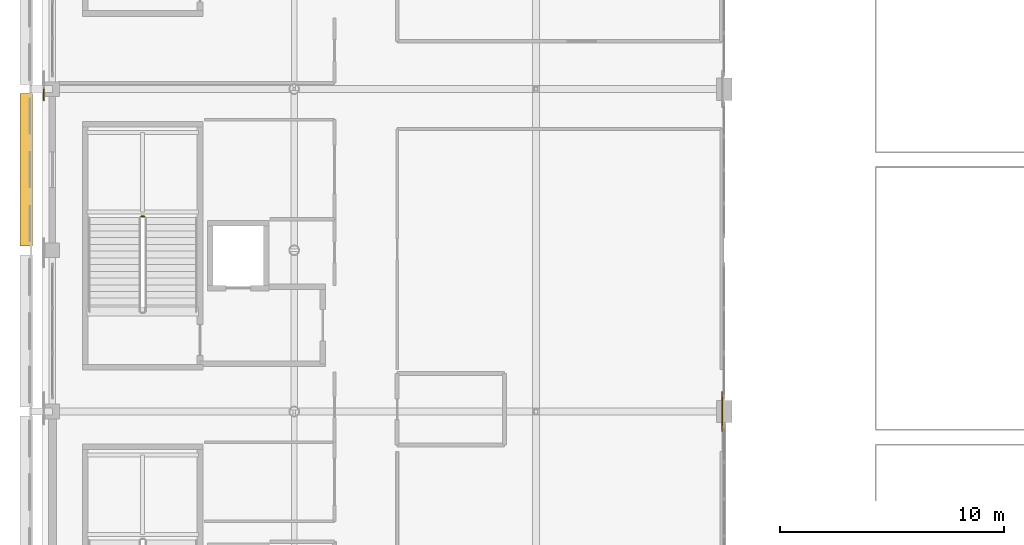
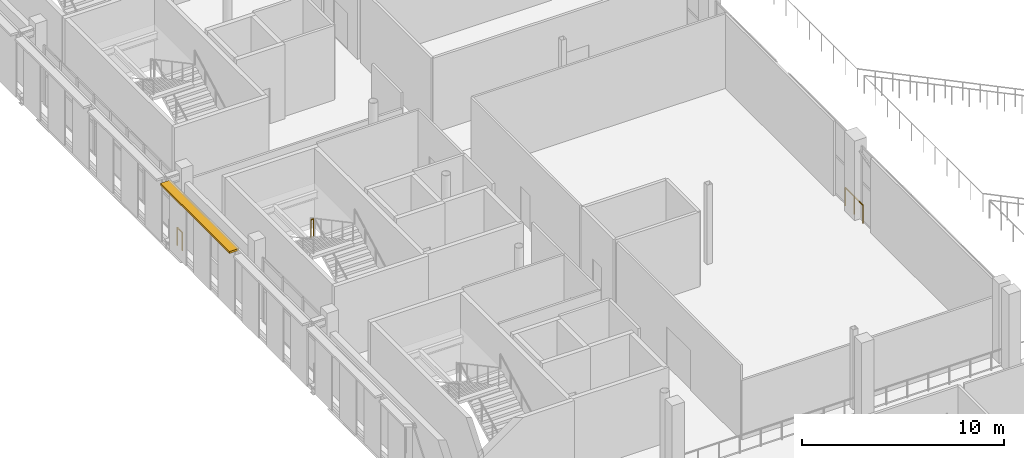
# One storey, part 81 of 104: 3 railings, 1 shading device.
"""IFC4 building model written with IfcOpenShell, lengths in metres."""

from ifc_helpers import new_model, si_unit, direction, frame, origin, origin_2d, place, context, subcontext, project, spatial, rectangle, circle, extrude, material, type_object, element, save


model = new_model("IFC4")

# Units and contexts
model_context = context("Model", 3, precision=1e-05, world=origin(), true_north=direction((0.0, 1.0)))
body_context = subcontext(model_context, "Body", "Model", "MODEL_VIEW")
ifc_project = project(units=[si_unit("LENGTHUNIT", "METRE"), si_unit("AREAUNIT", "SQUARE_METRE"), si_unit("VOLUMEUNIT", "CUBIC_METRE"), si_unit("PLANEANGLEUNIT", "RADIAN"), si_unit("MASSUNIT", "GRAM", prefix="KILO")], contexts=[model_context])

# Site, building, storey
site_placement = place(None, origin())
site = spatial("IfcSite", under=ifc_project, at=site_placement, CompositionType="ELEMENT")
building_placement = place(site_placement, origin())
building = spatial("IfcBuilding", under=site, at=building_placement, Name="Koshinbarg Plaza Stadium", CompositionType="ELEMENT")
storey_placement = place(building_placement, frame((0.0, 0.0, 19.800048828125)))
storey = spatial("IfcBuildingStorey", under=building, at=storey_placement, Name="L04", CompositionType="ELEMENT", Elevation=19.800048828125)

# Railings
ifc_material_1 = material(Name="Toughened laminated glass and stainless steel sightline balustrade", Category="steel")
railing_type_1 = type_object("IfcRailingType", Name="RL-BOWL-1100", PredefinedType="BALUSTRADE", material=ifc_material_1)
railing_1_placement = place(storey_placement, frame((24.22509765625, 53.801513671875, 0.0)))
element("IfcRailing", 1, at=railing_1_placement, inside=storey, type_object=railing_type_1, Name="L04 deck edge safety balustrade 0283", PredefinedType="BALUSTRADE", context=body_context, shape_type="SweptSolid", body=[
    extrude(circle(Radius=0.02392578125, at=origin_2d()), frame((0.0, 0.0, 1.076171875), z_axis=(0.0, 1.0, 0.0), x_axis=(-1.0, 0.0, 0.0)), (0.0, 0.0, 1.0), 0.49853515625),
    extrude(circle(Radius=0.02099609375, at=origin_2d()), origin(), (0.0, 0.0, 1.0), 1.052001953125),
    extrude(circle(Radius=0.02099609375, at=origin_2d()), frame((0.0, 0.49853515625, 0.0)), (0.0, 0.0, 1.0), 1.052001953125),
])
railing_2_placement = place(storey_placement, frame((54.52001953125, 40.76806640625, 0.0)))
element("IfcRailing", 2, at=railing_2_placement, inside=storey, type_object=railing_type_1, Name="L04 deck edge safety balustrade 0285", PredefinedType="BALUSTRADE", context=body_context, shape_type="SweptSolid", body=[
    extrude(circle(Radius=0.02392578125, at=origin_2d()), frame((0.0, 0.0, 1.076171875), z_axis=(0.0, -1.0, 0.0), x_axis=(1.0, 0.0, 0.0)), (0.0, 0.0, 1.0), 1.743408203125),
    extrude(circle(Radius=0.02099609375, at=origin_2d()), origin(), (0.0, 0.0, 1.0), 1.052001953125),
    extrude(circle(Radius=0.02099609375, at=origin_2d()), frame((0.0, -0.87158203125, 0.0)), (0.0, 0.0, 1.0), 1.052001953125),
    extrude(circle(Radius=0.02099609375, at=origin_2d()), frame((0.0, -1.743408203125, 0.0)), (0.0, 0.0, 1.0), 1.052001953125),
])
ifc_material_2 = material(Name="Galvanized painted steel guardrail", Category="steel")
railing_type_2 = type_object("IfcRailingType", Name="RL-GUARD-1100", PredefinedType="GUARDRAIL", material=ifc_material_2)
railing_3_placement = place(storey_placement, frame((28.7099609375, 48.610107421875, 2.39990234375)))
element("IfcRailing", 3, at=railing_3_placement, inside=storey, type_object=railing_type_2, Name="L04 C02 stair guard 2", PredefinedType="GUARDRAIL", context=body_context, shape_type="SweptSolid", body=[
    extrude(circle(Radius=0.02392578125, at=origin_2d()), frame((0.0, 0.0, 1.076171875), z_axis=(-1.0, 0.0, 0.0), x_axis=(0.0, -1.0, 0.0)), (0.0, 0.0, 1.0), 0.14990234375),
    extrude(circle(Radius=0.02099609375, at=origin_2d()), origin(), (0.0, 0.0, 1.0), 1.052001953125),
    extrude(circle(Radius=0.02099609375, at=origin_2d()), frame((-0.14990234375, 0.0, 0.0)), (0.0, 0.0, 1.0), 1.052001953125),
])

# Shading device
ifc_material_3 = material(Name="Off-white powder-coated aluminium sun-baffle louvre", Category="aluminium")
shading_device_type = type_object("IfcShadingDeviceType", Name="SHD-LOUVRE-01", PredefinedType="USERDEFINED", material=ifc_material_3)
shading_device_placement = place(storey_placement, frame((23.429931640625, 50.699951171875, 4.119873046875), z_axis=(0.0, 0.0, 1.0), x_axis=(1.0, 0.0, 0.0)))
element("IfcShadingDevice", 4, at=shading_device_placement, inside=storey, type_object=shading_device_type, Name="L04 solar brise-soleil louvre 18", ObjectType="LOUVRE", PredefinedType="USERDEFINED", context=body_context, shape_type="SweptSolid", body=[
    extrude(rectangle(XDim=0.550048828125, YDim=6.800048828125, at=origin_2d()), origin(), (0.0, 0.0, 1.0), 0.1201171875),
])

save(model, "model.ifc")
